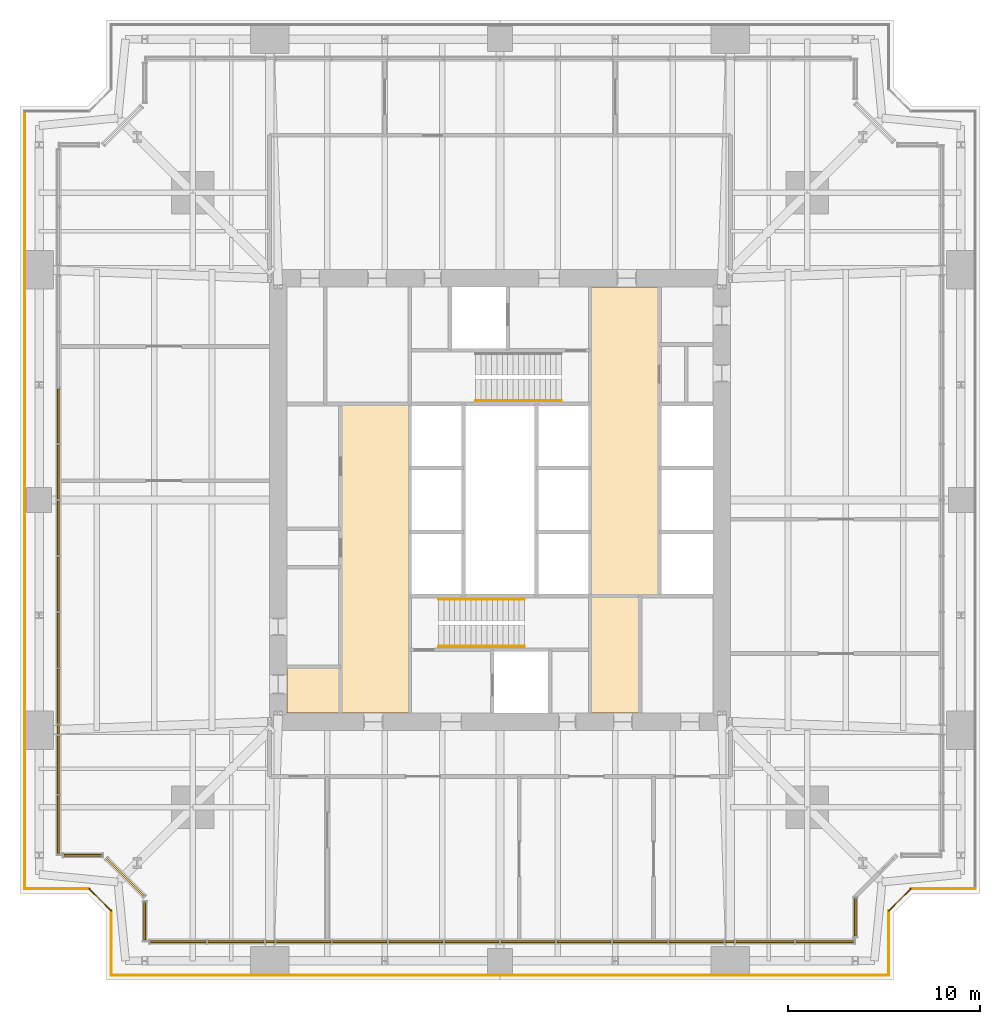
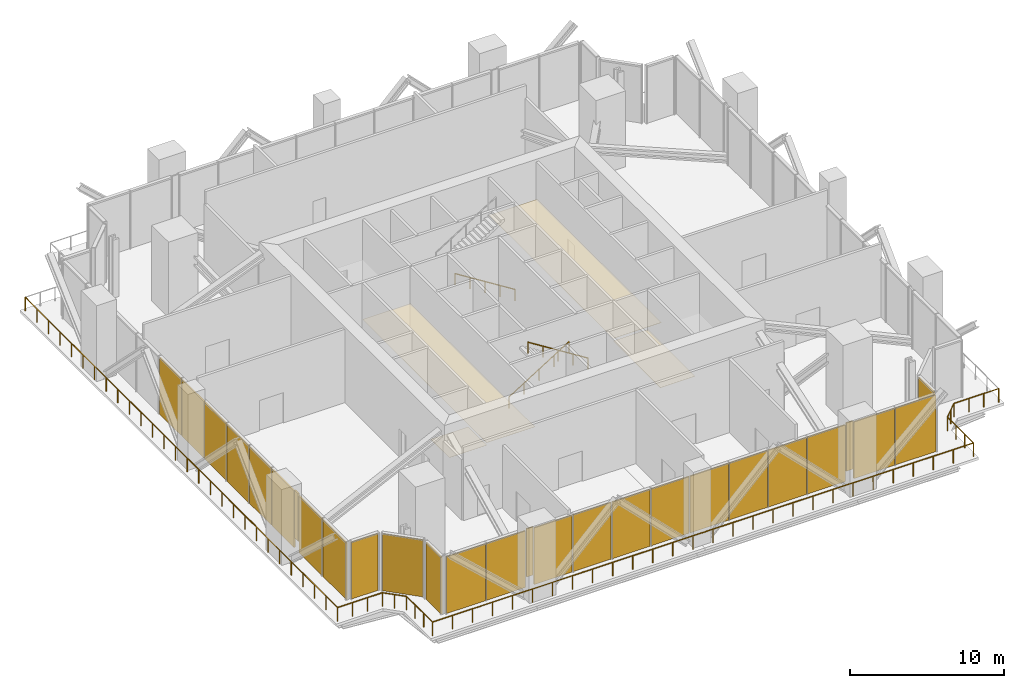
# One storey, part 12 of 14: 27 shading devices, 11 railings, 4 coverings, 9 elements without a shape of their own.
"""IFC4 building model written with IfcOpenShell, lengths in metres."""

from ifc_helpers import new_model, si_unit, direction, frame, origin, origin_2d, place, context, subcontext, project, spatial, polyline, rectangle, circle, outline, extrude, material, layer, layer_set, type_object, element, aggregate, save


model = new_model("IFC4")

# Units and contexts
model_context = context("Model", 3, precision=1e-05, world=origin(), true_north=direction((0.0, 1.0)))
body_context = subcontext(model_context, "Body", "Model", "MODEL_VIEW")
ifc_project = project(units=[si_unit("LENGTHUNIT", "METRE"), si_unit("AREAUNIT", "SQUARE_METRE"), si_unit("VOLUMEUNIT", "CUBIC_METRE"), si_unit("PLANEANGLEUNIT", "RADIAN"), si_unit("MASSUNIT", "GRAM", prefix="KILO")], contexts=[model_context])

# Site, building, storey
site_placement = place(None, origin())
site = spatial("IfcSite", under=ifc_project, at=site_placement, CompositionType="ELEMENT")
building_placement = place(site_placement, origin())
building = spatial("IfcBuilding", under=site, at=building_placement, Name="Fenwick Lantern Interchange", CompositionType="ELEMENT")
storey_placement = place(building_placement, frame((0.0, 0.0, 162.39990234375)))
storey = spatial("IfcBuildingStorey", under=building, at=storey_placement, Name="L38", CompositionType="ELEMENT", Elevation=162.39990234375)

# Railings
ifc_material_1 = material(Name="Stainless steel handrail", Category="steel")
railing_type_1 = type_object("IfcRailingType", Name="HANDRAIL 900", PredefinedType="HANDRAIL", material=ifc_material_1)
railing_1_placement = place(storey_placement, frame((21.800048828125, 19.825927734375, 0.176513671875)))
element("IfcRailing", 1, at=railing_1_placement, inside=storey, type_object=railing_type_1, Name="L38/STAIR/ST1/HR1", PredefinedType="HANDRAIL", context=body_context, shape_type="SweptSolid", body=[
    extrude(circle(Radius=0.02392578125, at=origin_2d()), frame((0.0, 0.0, 0.8759765625), z_axis=(0.845997938375, 0.0, 0.533186166611), x_axis=(0.0, 1.0, 0.0)), (0.0, 0.0, 1.0), 5.29541015625),
    extrude(circle(Radius=0.02099609375, at=origin_2d()), origin(), (0.0, 0.0, 1.0), 0.851806640625),
    extrude(circle(Radius=0.02099609375, at=origin_2d()), frame((1.1201171875, 0.0, 0.705810546875)), (0.0, 0.0, 1.0), 0.851806640625),
    extrude(circle(Radius=0.02099609375, at=origin_2d()), frame((2.239990234375, 0.0, 1.41162109375)), (0.0, 0.0, 1.0), 0.851806640625),
    extrude(circle(Radius=0.02099609375, at=origin_2d()), frame((3.35986328125, 0.0, 2.11767578125)), (0.0, 0.0, 1.0), 0.851806640625),
    extrude(circle(Radius=0.02099609375, at=origin_2d()), frame((4.47998046875, 0.0, 2.823486328125)), (0.0, 0.0, 1.0), 0.851806640625),
])
for number, where, name in (
    (2, (26.280029296875, 17.3740234375, 3.176513671875), "L38/STAIR/ST1/HR2"),
    (3, (28.199951171875, 30.174072265625, 0.176513671875), "L38/STAIR/ST2/HR1"),
):
    element("IfcRailing", number, at=place(storey_placement, frame(where)), inside=storey, type_object=railing_type_1, Name=name, PredefinedType="HANDRAIL", context=body_context, shape_type="SweptSolid", body=[
        extrude(circle(Radius=0.02392578125, at=origin_2d()), frame((0.0, 0.0, 0.8759765625), z_axis=(-0.845997938375, 0.0, 0.533186166611), x_axis=(0.0, -1.0, 0.0)), (0.0, 0.0, 1.0), 5.29541015625),
        extrude(circle(Radius=0.02099609375, at=origin_2d()), origin(), (0.0, 0.0, 1.0), 0.851806640625),
        extrude(circle(Radius=0.02099609375, at=origin_2d()), frame((-1.1201171875, 0.0, 0.705810546875)), (0.0, 0.0, 1.0), 0.851806640625),
        extrude(circle(Radius=0.02099609375, at=origin_2d()), frame((-2.239990234375, 0.0, 1.41162109375)), (0.0, 0.0, 1.0), 0.851806640625),
        extrude(circle(Radius=0.02099609375, at=origin_2d()), frame((-3.35986328125, 0.0, 2.11767578125)), (0.0, 0.0, 1.0), 0.851806640625),
        extrude(circle(Radius=0.02099609375, at=origin_2d()), frame((-4.47998046875, 0.0, 2.823486328125)), (0.0, 0.0, 1.0), 0.851806640625),
    ])
ifc_material_2 = material(Name="Galvanised steel guard", Category="steel")
railing_type_2 = type_object("IfcRailingType", Name="MAINTENANCE LEDGE GUARD 1100", PredefinedType="GUARDRAIL", material=ifc_material_2)
railing_2_placement = place(storey_placement, frame((4.75, 0.25, 0.0)))
element("IfcRailing", 4, at=railing_2_placement, inside=storey, type_object=railing_type_2, Name="L38/GR/LEDGE01", PredefinedType="GUARDRAIL", context=body_context, shape_type="SweptSolid", body=[
    extrude(circle(Radius=0.02392578125, at=origin_2d()), frame((0.0, 0.0, 1.076171875), z_axis=(1.0, 0.0, 0.0), x_axis=(0.0, 1.0, 0.0)), (0.0, 0.0, 1.0), 40.5),
    extrude(circle(Radius=0.02099609375, at=origin_2d()), origin(), (0.0, 0.0, 1.0), 1.052001953125),
    extrude(circle(Radius=0.02099609375, at=origin_2d()), frame((1.5, 0.0, 0.0)), (0.0, 0.0, 1.0), 1.052001953125),
    extrude(circle(Radius=0.02099609375, at=origin_2d()), frame((3.0, 0.0, 0.0)), (0.0, 0.0, 1.0), 1.052001953125),
    extrude(circle(Radius=0.02099609375, at=origin_2d()), frame((4.5, 0.0, 0.0)), (0.0, 0.0, 1.0), 1.052001953125),
    extrude(circle(Radius=0.02099609375, at=origin_2d()), frame((6.0, 0.0, 0.0)), (0.0, 0.0, 1.0), 1.052001953125),
    extrude(circle(Radius=0.02099609375, at=origin_2d()), frame((7.5, 0.0, 0.0)), (0.0, 0.0, 1.0), 1.052001953125),
    extrude(circle(Radius=0.02099609375, at=origin_2d()), frame((9.0, 0.0, 0.0)), (0.0, 0.0, 1.0), 1.052001953125),
    extrude(circle(Radius=0.02099609375, at=origin_2d()), frame((10.5, 0.0, 0.0)), (0.0, 0.0, 1.0), 1.052001953125),
    extrude(circle(Radius=0.02099609375, at=origin_2d()), frame((12.0, 0.0, 0.0)), (0.0, 0.0, 1.0), 1.052001953125),
    extrude(circle(Radius=0.02099609375, at=origin_2d()), frame((13.5, 0.0, 0.0)), (0.0, 0.0, 1.0), 1.052001953125),
    extrude(circle(Radius=0.02099609375, at=origin_2d()), frame((15.0, 0.0, 0.0)), (0.0, 0.0, 1.0), 1.052001953125),
    extrude(circle(Radius=0.02099609375, at=origin_2d()), frame((16.5, 0.0, 0.0)), (0.0, 0.0, 1.0), 1.052001953125),
    extrude(circle(Radius=0.02099609375, at=origin_2d()), frame((18.0, 0.0, 0.0)), (0.0, 0.0, 1.0), 1.052001953125),
    extrude(circle(Radius=0.02099609375, at=origin_2d()), frame((19.5, 0.0, 0.0)), (0.0, 0.0, 1.0), 1.052001953125),
    extrude(circle(Radius=0.02099609375, at=origin_2d()), frame((21.0, 0.0, 0.0)), (0.0, 0.0, 1.0), 1.052001953125),
    extrude(circle(Radius=0.02099609375, at=origin_2d()), frame((22.5, 0.0, 0.0)), (0.0, 0.0, 1.0), 1.052001953125),
    extrude(circle(Radius=0.02099609375, at=origin_2d()), frame((24.0, 0.0, 0.0)), (0.0, 0.0, 1.0), 1.052001953125),
    extrude(circle(Radius=0.02099609375, at=origin_2d()), frame((25.5, 0.0, 0.0)), (0.0, 0.0, 1.0), 1.052001953125),
    extrude(circle(Radius=0.02099609375, at=origin_2d()), frame((27.0, 0.0, 0.0)), (0.0, 0.0, 1.0), 1.052001953125),
    extrude(circle(Radius=0.02099609375, at=origin_2d()), frame((28.5, 0.0, 0.0)), (0.0, 0.0, 1.0), 1.052001953125),
    extrude(circle(Radius=0.02099609375, at=origin_2d()), frame((30.0, 0.0, 0.0)), (0.0, 0.0, 1.0), 1.052001953125),
    extrude(circle(Radius=0.02099609375, at=origin_2d()), frame((31.5, 0.0, 0.0)), (0.0, 0.0, 1.0), 1.052001953125),
    extrude(circle(Radius=0.02099609375, at=origin_2d()), frame((33.0, 0.0, 0.0)), (0.0, 0.0, 1.0), 1.052001953125),
    extrude(circle(Radius=0.02099609375, at=origin_2d()), frame((34.5, 0.0, 0.0)), (0.0, 0.0, 1.0), 1.052001953125),
    extrude(circle(Radius=0.02099609375, at=origin_2d()), frame((36.0, 0.0, 0.0)), (0.0, 0.0, 1.0), 1.052001953125),
    extrude(circle(Radius=0.02099609375, at=origin_2d()), frame((37.5, 0.0, 0.0)), (0.0, 0.0, 1.0), 1.052001953125),
    extrude(circle(Radius=0.02099609375, at=origin_2d()), frame((39.0, 0.0, 0.0)), (0.0, 0.0, 1.0), 1.052001953125),
    extrude(circle(Radius=0.02099609375, at=origin_2d()), frame((40.5, 0.0, 0.0)), (0.0, 0.0, 1.0), 1.052001953125),
])
railing_3_placement = place(storey_placement, frame((45.25, 0.25, 0.0)))
element("IfcRailing", 5, at=railing_3_placement, inside=storey, type_object=railing_type_2, Name="L38/GR/LEDGE02", PredefinedType="GUARDRAIL", context=body_context, shape_type="SweptSolid", body=[
    extrude(circle(Radius=0.02392578125, at=origin_2d()), frame((0.0, 0.0, 1.076171875), z_axis=(0.0, 1.0, 0.0), x_axis=(-1.0, 0.0, 0.0)), (0.0, 0.0, 1.0), 3.353515625),
    extrude(circle(Radius=0.02099609375, at=origin_2d()), origin(), (0.0, 0.0, 1.0), 1.052001953125),
    extrude(circle(Radius=0.02099609375, at=origin_2d()), frame((0.0, 1.117919921875, 0.0)), (0.0, 0.0, 1.0), 1.052001953125),
    extrude(circle(Radius=0.02099609375, at=origin_2d()), frame((0.0, 2.235595703125, 0.0)), (0.0, 0.0, 1.0), 1.052001953125),
    extrude(circle(Radius=0.02099609375, at=origin_2d()), frame((0.0, 3.353515625, 0.0)), (0.0, 0.0, 1.0), 1.052001953125),
])
railing_4_placement = place(storey_placement, frame((45.25, 3.603515625, 0.0)))
element("IfcRailing", 6, at=railing_4_placement, inside=storey, type_object=railing_type_2, Name="L38/GR/LEDGE03", PredefinedType="GUARDRAIL", context=body_context, shape_type="SweptSolid", body=[
    extrude(circle(Radius=0.02392578125, at=origin_2d()), frame((0.0, 0.0, 1.076171875), z_axis=(0.707106781187, 0.707106781187, 0.0), x_axis=(-0.707106781187, 0.707106781187, 0.0)), (0.0, 0.0, 1.0), 1.621337890625),
    extrude(circle(Radius=0.02099609375, at=origin_2d()), origin(), (0.0, 0.0, 1.0), 1.052001953125),
    extrude(circle(Radius=0.02099609375, at=origin_2d()), frame((0.5732421875, 0.5732421875, 0.0)), (0.0, 0.0, 1.0), 1.052001953125),
    extrude(circle(Radius=0.02099609375, at=origin_2d()), frame((1.146484375, 1.146484375, 0.0)), (0.0, 0.0, 1.0), 1.052001953125),
])
railing_5_placement = place(storey_placement, frame((46.396484375, 4.75, 0.0)))
element("IfcRailing", 7, at=railing_5_placement, inside=storey, type_object=railing_type_2, Name="L38/GR/LEDGE04", PredefinedType="GUARDRAIL", context=body_context, shape_type="SweptSolid", body=[
    extrude(circle(Radius=0.02392578125, at=origin_2d()), frame((0.0, 0.0, 1.076171875), z_axis=(1.0, 0.0, 0.0), x_axis=(0.0, 1.0, 0.0)), (0.0, 0.0, 1.0), 3.353515625),
    extrude(circle(Radius=0.02099609375, at=origin_2d()), origin(), (0.0, 0.0, 1.0), 1.052001953125),
    extrude(circle(Radius=0.02099609375, at=origin_2d()), frame((1.117919921875, 0.0, 0.0)), (0.0, 0.0, 1.0), 1.052001953125),
    extrude(circle(Radius=0.02099609375, at=origin_2d()), frame((2.235595703125, 0.0, 0.0)), (0.0, 0.0, 1.0), 1.052001953125),
    extrude(circle(Radius=0.02099609375, at=origin_2d()), frame((3.353515625, 0.0, 0.0)), (0.0, 0.0, 1.0), 1.052001953125),
])
railing_6_placement = place(storey_placement, frame((0.25, 45.25, 0.0)))
element("IfcRailing", 8, at=railing_6_placement, inside=storey, type_object=railing_type_2, Name="L38/GR/LEDGE13", PredefinedType="GUARDRAIL", context=body_context, shape_type="SweptSolid", body=[
    extrude(circle(Radius=0.02392578125, at=origin_2d()), frame((0.0, 0.0, 1.076171875), z_axis=(0.0, -1.0, 0.0), x_axis=(1.0, 0.0, 0.0)), (0.0, 0.0, 1.0), 40.5),
    extrude(circle(Radius=0.02099609375, at=origin_2d()), origin(), (0.0, 0.0, 1.0), 1.052001953125),
    extrude(circle(Radius=0.02099609375, at=origin_2d()), frame((0.0, -1.5, 0.0)), (0.0, 0.0, 1.0), 1.052001953125),
    extrude(circle(Radius=0.02099609375, at=origin_2d()), frame((0.0, -3.0, 0.0)), (0.0, 0.0, 1.0), 1.052001953125),
    extrude(circle(Radius=0.02099609375, at=origin_2d()), frame((0.0, -4.5, 0.0)), (0.0, 0.0, 1.0), 1.052001953125),
    extrude(circle(Radius=0.02099609375, at=origin_2d()), frame((0.0, -6.0, 0.0)), (0.0, 0.0, 1.0), 1.052001953125),
    extrude(circle(Radius=0.02099609375, at=origin_2d()), frame((0.0, -7.5, 0.0)), (0.0, 0.0, 1.0), 1.052001953125),
    extrude(circle(Radius=0.02099609375, at=origin_2d()), frame((0.0, -9.0, 0.0)), (0.0, 0.0, 1.0), 1.052001953125),
    extrude(circle(Radius=0.02099609375, at=origin_2d()), frame((0.0, -10.5, 0.0)), (0.0, 0.0, 1.0), 1.052001953125),
    extrude(circle(Radius=0.02099609375, at=origin_2d()), frame((0.0, -12.0, 0.0)), (0.0, 0.0, 1.0), 1.052001953125),
    extrude(circle(Radius=0.02099609375, at=origin_2d()), frame((0.0, -13.5, 0.0)), (0.0, 0.0, 1.0), 1.052001953125),
    extrude(circle(Radius=0.02099609375, at=origin_2d()), frame((0.0, -15.0, 0.0)), (0.0, 0.0, 1.0), 1.052001953125),
    extrude(circle(Radius=0.02099609375, at=origin_2d()), frame((0.0, -16.5, 0.0)), (0.0, 0.0, 1.0), 1.052001953125),
    extrude(circle(Radius=0.02099609375, at=origin_2d()), frame((0.0, -18.0, 0.0)), (0.0, 0.0, 1.0), 1.052001953125),
    extrude(circle(Radius=0.02099609375, at=origin_2d()), frame((0.0, -19.5, 0.0)), (0.0, 0.0, 1.0), 1.052001953125),
    extrude(circle(Radius=0.02099609375, at=origin_2d()), frame((0.0, -21.0, 0.0)), (0.0, 0.0, 1.0), 1.052001953125),
    extrude(circle(Radius=0.02099609375, at=origin_2d()), frame((0.0, -22.5, 0.0)), (0.0, 0.0, 1.0), 1.052001953125),
    extrude(circle(Radius=0.02099609375, at=origin_2d()), frame((0.0, -24.0, 0.0)), (0.0, 0.0, 1.0), 1.052001953125),
    extrude(circle(Radius=0.02099609375, at=origin_2d()), frame((0.0, -25.5, 0.0)), (0.0, 0.0, 1.0), 1.052001953125),
    extrude(circle(Radius=0.02099609375, at=origin_2d()), frame((0.0, -27.0, 0.0)), (0.0, 0.0, 1.0), 1.052001953125),
    extrude(circle(Radius=0.02099609375, at=origin_2d()), frame((0.0, -28.5, 0.0)), (0.0, 0.0, 1.0), 1.052001953125),
    extrude(circle(Radius=0.02099609375, at=origin_2d()), frame((0.0, -30.0, 0.0)), (0.0, 0.0, 1.0), 1.052001953125),
    extrude(circle(Radius=0.02099609375, at=origin_2d()), frame((0.0, -31.5, 0.0)), (0.0, 0.0, 1.0), 1.052001953125),
    extrude(circle(Radius=0.02099609375, at=origin_2d()), frame((0.0, -33.0, 0.0)), (0.0, 0.0, 1.0), 1.052001953125),
    extrude(circle(Radius=0.02099609375, at=origin_2d()), frame((0.0, -34.5, 0.0)), (0.0, 0.0, 1.0), 1.052001953125),
    extrude(circle(Radius=0.02099609375, at=origin_2d()), frame((0.0, -36.0, 0.0)), (0.0, 0.0, 1.0), 1.052001953125),
    extrude(circle(Radius=0.02099609375, at=origin_2d()), frame((0.0, -37.5, 0.0)), (0.0, 0.0, 1.0), 1.052001953125),
    extrude(circle(Radius=0.02099609375, at=origin_2d()), frame((0.0, -39.0, 0.0)), (0.0, 0.0, 1.0), 1.052001953125),
    extrude(circle(Radius=0.02099609375, at=origin_2d()), frame((0.0, -40.5, 0.0)), (0.0, 0.0, 1.0), 1.052001953125),
])
railing_7_placement = place(storey_placement, frame((0.25, 4.75, 0.0)))
element("IfcRailing", 9, at=railing_7_placement, inside=storey, type_object=railing_type_2, Name="L38/GR/LEDGE14", PredefinedType="GUARDRAIL", context=body_context, shape_type="SweptSolid", body=[
    extrude(circle(Radius=0.02392578125, at=origin_2d()), frame((0.0, 0.0, 1.076171875), z_axis=(1.0, 0.0, 0.0), x_axis=(0.0, 1.0, 0.0)), (0.0, 0.0, 1.0), 3.353515625),
    extrude(circle(Radius=0.02099609375, at=origin_2d()), origin(), (0.0, 0.0, 1.0), 1.052001953125),
    extrude(circle(Radius=0.02099609375, at=origin_2d()), frame((1.117919921875, 0.0, 0.0)), (0.0, 0.0, 1.0), 1.052001953125),
    extrude(circle(Radius=0.02099609375, at=origin_2d()), frame((2.235595703125, 0.0, 0.0)), (0.0, 0.0, 1.0), 1.052001953125),
    extrude(circle(Radius=0.02099609375, at=origin_2d()), frame((3.353515625, 0.0, 0.0)), (0.0, 0.0, 1.0), 1.052001953125),
])
railing_8_placement = place(storey_placement, frame((3.603515625, 4.75, 0.0)))
element("IfcRailing", 10, at=railing_8_placement, inside=storey, type_object=railing_type_2, Name="L38/GR/LEDGE15", PredefinedType="GUARDRAIL", context=body_context, shape_type="SweptSolid", body=[
    extrude(circle(Radius=0.02392578125, at=origin_2d()), frame((0.0, 0.0, 1.076171875), z_axis=(0.707106781187, -0.707106781187, 0.0), x_axis=(0.707106781187, 0.707106781187, 0.0)), (0.0, 0.0, 1.0), 1.621337890625),
    extrude(circle(Radius=0.02099609375, at=origin_2d()), origin(), (0.0, 0.0, 1.0), 1.052001953125),
    extrude(circle(Radius=0.02099609375, at=origin_2d()), frame((0.5732421875, -0.5732421875, 0.0)), (0.0, 0.0, 1.0), 1.052001953125),
    extrude(circle(Radius=0.02099609375, at=origin_2d()), frame((1.146484375, -1.146484375, 0.0)), (0.0, 0.0, 1.0), 1.052001953125),
])
railing_9_placement = place(storey_placement, frame((4.75, 3.603515625, 0.0)))
element("IfcRailing", 11, at=railing_9_placement, inside=storey, type_object=railing_type_2, Name="L38/GR/LEDGE16", PredefinedType="GUARDRAIL", context=body_context, shape_type="SweptSolid", body=[
    extrude(circle(Radius=0.02392578125, at=origin_2d()), frame((0.0, 0.0, 1.076171875), z_axis=(0.0, -1.0, 0.0), x_axis=(1.0, 0.0, 0.0)), (0.0, 0.0, 1.0), 3.353515625),
    extrude(circle(Radius=0.02099609375, at=origin_2d()), origin(), (0.0, 0.0, 1.0), 1.052001953125),
    extrude(circle(Radius=0.02099609375, at=origin_2d()), frame((0.0, -1.117919921875, 0.0)), (0.0, 0.0, 1.0), 1.052001953125),
    extrude(circle(Radius=0.02099609375, at=origin_2d()), frame((0.0, -2.235595703125, 0.0)), (0.0, 0.0, 1.0), 1.052001953125),
    extrude(circle(Radius=0.02099609375, at=origin_2d()), frame((0.0, -3.353515625, 0.0)), (0.0, 0.0, 1.0), 1.052001953125),
])

# Coverings
ifc_material_3 = material(Name="Moisture resistant gypsum board on suspended frame, painted")
ifc_layer_1 = layer(ifc_material_3, 0.014892578125)
ifc_layer_set_1 = layer_set([ifc_layer_1], Name="MOISTURE RESISTANT CEILING 15")
covering_type_1 = type_object("IfcCoveringType", Name="MOISTURE RESISTANT CEILING 15", PredefinedType="CEILING", material=ifc_layer_set_1)
covering_1_placement = place(storey_placement, frame((0.0, 0.0, 2.60009765625)))
element("IfcCovering", 12, at=covering_1_placement, inside=storey, type_object=covering_type_1, Name="Men's WC ceiling", PredefinedType="CEILING", context=body_context, shape_type="SweptSolid", body=[
    extrude(outline(polyline([(29.699951171875, 13.89990234375), (32.300048828125, 13.89990234375), (32.300048828125, 20.0), (29.699951171875, 20.0), (29.699951171875, 13.89990234375)])), origin(), (0.0, 0.0, 1.0), 0.014892578125),
])
covering_2_placement = place(storey_placement, frame((0.0, 0.0, 2.60009765625)))
element("IfcCovering", 13, at=covering_2_placement, inside=storey, type_object=covering_type_1, Name="Accessible WC ceiling", PredefinedType="CEILING", context=body_context, shape_type="SweptSolid", body=[
    extrude(outline(polyline([(13.89990234375, 13.89990234375), (16.699951171875, 13.89990234375), (16.699951171875, 16.300048828125), (13.89990234375, 16.300048828125), (13.89990234375, 13.89990234375)])), origin(), (0.0, 0.0, 1.0), 0.014892578125),
])

# Curtain wall, shading device
ifc_material_4 = material(Name="Aluminium curtain wall frame", Category="aluminium")
curtain_wall_type = type_object("IfcCurtainWallType", Name="PLANT LOUVRE SCREEN", PredefinedType="USERDEFINED", material=ifc_material_4)
curtain_wall_1_placement = place(storey_placement, origin())
curtain_wall_1 = element("IfcCurtainWall", 14, at=curtain_wall_1_placement, inside=storey, type_object=curtain_wall_type, Name="Plant louvre screen 01", ObjectType="PLANT LOUVRE SCREEN", PredefinedType="USERDEFINED")
ifc_material_5 = material(Name="Louvre panel, anodised aluminium blades", Category="aluminium")
ifc_layer_2 = layer(ifc_material_5, 0.10009765625)
ifc_layer_set_2 = layer_set([ifc_layer_2], Name="PLANT LOUVRE SCREEN PANEL 100")
shading_device_type = type_object("IfcShadingDeviceType", Name="PLANT LOUVRE SCREEN PANEL 100", PredefinedType="SHUTTER", material=ifc_layer_set_2)
shading_device_1_placement = place(storey_placement, frame((43.5, 3.26416015625, 0.0), z_axis=(0.0, 0.0, 1.0), x_axis=(0.0, 1.0, 0.0)))
shading_device_1 = element("IfcShadingDevice", 15, at=shading_device_1_placement, type_object=shading_device_type, Name="L38/CW/01/P00", PredefinedType="SHUTTER", context=body_context, shape_type="SweptSolid", body=[
    extrude(rectangle(XDim=1.978515625, YDim=0.10009765625, at=origin_2d()), origin(), (0.0, 0.0, 1.0), 4.47998046875),
])
aggregate(curtain_wall_1, [shading_device_1])

# Curtain wall, shading devices
curtain_wall_2_placement = place(storey_placement, origin())
curtain_wall_2 = element("IfcCurtainWall", 16, at=curtain_wall_2_placement, inside=storey, type_object=curtain_wall_type, Name="Plant louvre screen 12B", ObjectType="PLANT LOUVRE SCREEN", PredefinedType="USERDEFINED")
shading_device_2_placement = place(storey_placement, frame((2.0, 29.381103515625, 0.0), z_axis=(0.0, 0.0, 1.0), x_axis=(0.0, -1.0, 0.0)))
shading_device_2 = element("IfcShadingDevice", 17, at=shading_device_2_placement, type_object=shading_device_type, Name="L38/CW/12B/P02", PredefinedType="SHUTTER", context=body_context, shape_type="SweptSolid", body=[
    extrude(rectangle(XDim=2.845703125, YDim=0.10009765625, at=origin_2d()), origin(), (0.0, 0.0, 1.0), 4.47998046875),
])
shading_device_3_placement = place(storey_placement, frame((2.0, 26.46044921875, 0.0), z_axis=(0.0, 0.0, 1.0), x_axis=(0.0, -1.0, 0.0)))
shading_device_3 = element("IfcShadingDevice", 18, at=shading_device_3_placement, type_object=shading_device_type, Name="L38/CW/12B/P03", PredefinedType="SHUTTER", context=body_context, shape_type="SweptSolid", body=[
    extrude(rectangle(XDim=2.845703125, YDim=0.10009765625, at=origin_2d()), origin(), (0.0, 0.0, 1.0), 4.47998046875),
])
shading_device_4_placement = place(storey_placement, frame((2.0, 23.53955078125, 0.0), z_axis=(0.0, 0.0, 1.0), x_axis=(0.0, -1.0, 0.0)))
shading_device_4 = element("IfcShadingDevice", 19, at=shading_device_4_placement, type_object=shading_device_type, Name="L38/CW/12B/P04", PredefinedType="SHUTTER", context=body_context, shape_type="SweptSolid", body=[
    extrude(rectangle(XDim=2.845703125, YDim=0.10009765625, at=origin_2d()), origin(), (0.0, 0.0, 1.0), 4.47998046875),
])
shading_device_5_placement = place(storey_placement, frame((2.0, 20.618896484375, 0.0), z_axis=(0.0, 0.0, 1.0), x_axis=(0.0, -1.0, 0.0)))
shading_device_5 = element("IfcShadingDevice", 20, at=shading_device_5_placement, type_object=shading_device_type, Name="L38/CW/12B/P05", PredefinedType="SHUTTER", context=body_context, shape_type="SweptSolid", body=[
    extrude(rectangle(XDim=2.845703125, YDim=0.10009765625, at=origin_2d()), origin(), (0.0, 0.0, 1.0), 4.47998046875),
])
shading_device_6_placement = place(storey_placement, frame((2.0, 17.6982421875, 0.0), z_axis=(0.0, 0.0, 1.0), x_axis=(0.0, -1.0, 0.0)))
shading_device_6 = element("IfcShadingDevice", 21, at=shading_device_6_placement, type_object=shading_device_type, Name="L38/CW/12B/P06", PredefinedType="SHUTTER", context=body_context, shape_type="SweptSolid", body=[
    extrude(rectangle(XDim=2.845703125, YDim=0.10009765625, at=origin_2d()), origin(), (0.0, 0.0, 1.0), 4.47998046875),
])
shading_device_7_placement = place(storey_placement, frame((2.0, 14.777587890625, 0.0), z_axis=(0.0, 0.0, 1.0), x_axis=(0.0, -1.0, 0.0)))
shading_device_7 = element("IfcShadingDevice", 22, at=shading_device_7_placement, type_object=shading_device_type, Name="L38/CW/12B/P07", PredefinedType="SHUTTER", context=body_context, shape_type="SweptSolid", body=[
    extrude(rectangle(XDim=2.845703125, YDim=0.10009765625, at=origin_2d()), origin(), (0.0, 0.0, 1.0), 4.47998046875),
])
aggregate(curtain_wall_2, [shading_device_2, shading_device_3, shading_device_4, shading_device_5, shading_device_6, shading_device_7])

curtain_wall_3_placement = place(storey_placement, origin())
curtain_wall_3 = element("IfcCurtainWall", 23, at=curtain_wall_3_placement, inside=storey, type_object=curtain_wall_type, Name="Plant louvre screen 12C", ObjectType="PLANT LOUVRE SCREEN", PredefinedType="USERDEFINED")
shading_device_8_placement = place(storey_placement, frame((2.0, 11.20263671875, 0.0), z_axis=(0.0, 0.0, 1.0), x_axis=(0.0, -1.0, 0.0)))
shading_device_8 = element("IfcShadingDevice", 24, at=shading_device_8_placement, type_object=shading_device_type, Name="L38/CW/12C/P00", PredefinedType="SHUTTER", context=body_context, shape_type="SweptSolid", body=[
    extrude(rectangle(XDim=3.03515625, YDim=0.10009765625, at=origin_2d()), origin(), (0.0, 0.0, 1.0), 4.47998046875),
])
shading_device_9_placement = place(storey_placement, frame((2.0, 8.092529296875, 0.0), z_axis=(0.0, 0.0, 1.0), x_axis=(0.0, -1.0, 0.0)))
shading_device_9 = element("IfcShadingDevice", 25, at=shading_device_9_placement, type_object=shading_device_type, Name="L38/CW/12C/P01", PredefinedType="SHUTTER", context=body_context, shape_type="SweptSolid", body=[
    extrude(rectangle(XDim=3.03515625, YDim=0.10009765625, at=origin_2d()), origin(), (0.0, 0.0, 1.0), 4.47998046875),
])
aggregate(curtain_wall_3, [shading_device_8, shading_device_9])

# Shading device
shading_device_10_placement = place(storey_placement, frame((2.0, 13.03759765625, 0.8193359375), z_axis=(0.0, 0.0, 1.0), x_axis=(0.0, -1.0, 0.0)))
element("IfcShadingDevice", 26, at=shading_device_10_placement, inside=storey, type_object=shading_device_type, Name="Louvre screen infill 12-2", PredefinedType="SHUTTER", context=body_context, shape_type="SweptSolid", body=[
    extrude(rectangle(XDim=0.484375, YDim=0.10009765625, at=origin_2d()), origin(), (0.0, 0.0, 1.0), 3.78076171875),
])

# Curtain wall, shading device
curtain_wall_4_placement = place(storey_placement, origin())
curtain_wall_4 = element("IfcCurtainWall", 27, at=curtain_wall_4_placement, inside=storey, type_object=curtain_wall_type, Name="Plant louvre screen 13", ObjectType="PLANT LOUVRE SCREEN", PredefinedType="USERDEFINED")
shading_device_11_placement = place(storey_placement, frame((3.26416015625, 6.5, 0.0), z_axis=(0.0, 0.0, 1.0), x_axis=(1.0, 0.0, 0.0)))
shading_device_11 = element("IfcShadingDevice", 28, at=shading_device_11_placement, type_object=shading_device_type, Name="L38/CW/13/P00", PredefinedType="SHUTTER", context=body_context, shape_type="SweptSolid", body=[
    extrude(rectangle(XDim=1.978515625, YDim=0.10009765625, at=origin_2d()), origin(), (0.0, 0.0, 1.0), 4.47998046875),
])
aggregate(curtain_wall_4, [shading_device_11])

curtain_wall_5_placement = place(storey_placement, origin())
curtain_wall_5 = element("IfcCurtainWall", 29, at=curtain_wall_5_placement, inside=storey, type_object=curtain_wall_type, Name="Plant louvre screen 14", ObjectType="PLANT LOUVRE SCREEN", PredefinedType="USERDEFINED")
shading_device_12_placement = place(storey_placement, frame((5.48486328125, 5.343505859375, 0.0), z_axis=(0.0, 0.0, 1.0), x_axis=(0.707106781187, -0.707106781187, 0.0)))
shading_device_12 = element("IfcShadingDevice", 30, at=shading_device_12_placement, type_object=shading_device_type, Name="L38/CW/14/P00", PredefinedType="SHUTTER", context=body_context, shape_type="SweptSolid", body=[
    extrude(rectangle(XDim=2.720947265625, YDim=0.10009765625, at=origin_2d()), origin(), (0.0, 0.0, 1.0), 4.47998046875),
])
aggregate(curtain_wall_5, [shading_device_12])

curtain_wall_6_placement = place(storey_placement, origin())
curtain_wall_6 = element("IfcCurtainWall", 31, at=curtain_wall_6_placement, inside=storey, type_object=curtain_wall_type, Name="Plant louvre screen 15", ObjectType="PLANT LOUVRE SCREEN", PredefinedType="USERDEFINED")
shading_device_13_placement = place(storey_placement, frame((6.5, 3.064208984375, 0.0), z_axis=(0.0, 0.0, 1.0), x_axis=(0.0, -1.0, 0.0)))
shading_device_13 = element("IfcShadingDevice", 32, at=shading_device_13_placement, type_object=shading_device_type, Name="L38/CW/15/P00", PredefinedType="SHUTTER", context=body_context, shape_type="SweptSolid", body=[
    extrude(rectangle(XDim=1.978515625, YDim=0.10009765625, at=origin_2d()), origin(), (0.0, 0.0, 1.0), 4.47998046875),
])
aggregate(curtain_wall_6, [shading_device_13])

# Curtain wall, shading devices
curtain_wall_7_placement = place(storey_placement, origin())
curtain_wall_7 = element("IfcCurtainWall", 33, at=curtain_wall_7_placement, inside=storey, type_object=curtain_wall_type, Name="Plant louvre screen 16A", ObjectType="PLANT LOUVRE SCREEN", PredefinedType="USERDEFINED")
shading_device_14_placement = place(storey_placement, frame((8.241943359375, 2.0, 0.0), z_axis=(0.0, 0.0, 1.0), x_axis=(1.0, 0.0, 0.0)))
shading_device_14 = element("IfcShadingDevice", 34, at=shading_device_14_placement, type_object=shading_device_type, Name="L38/CW/16A/P00", PredefinedType="SHUTTER", context=body_context, shape_type="SweptSolid", body=[
    extrude(rectangle(XDim=2.93408203125, YDim=0.10009765625, at=origin_2d()), origin(), (0.0, 0.0, 1.0), 4.47998046875),
])
shading_device_15_placement = place(storey_placement, frame((11.2509765625, 2.0, 0.0), z_axis=(0.0, 0.0, 1.0), x_axis=(1.0, 0.0, 0.0)))
shading_device_15 = element("IfcShadingDevice", 35, at=shading_device_15_placement, type_object=shading_device_type, Name="L38/CW/16A/P01", PredefinedType="SHUTTER", context=body_context, shape_type="SweptSolid", body=[
    extrude(rectangle(XDim=2.93408203125, YDim=0.10009765625, at=origin_2d()), origin(), (0.0, 0.0, 1.0), 4.47998046875),
])
aggregate(curtain_wall_7, [shading_device_14, shading_device_15])

curtain_wall_8_placement = place(storey_placement, origin())
curtain_wall_8 = element("IfcCurtainWall", 36, at=curtain_wall_8_placement, inside=storey, type_object=curtain_wall_type, Name="Plant louvre screen 16B", ObjectType="PLANT LOUVRE SCREEN", PredefinedType="USERDEFINED")
shading_device_16_placement = place(storey_placement, frame((14.77490234375, 2.0, 0.0), z_axis=(0.0, 0.0, 1.0), x_axis=(1.0, 0.0, 0.0)))
shading_device_16 = element("IfcShadingDevice", 37, at=shading_device_16_placement, type_object=shading_device_type, Name="L38/CW/16B/P00", PredefinedType="SHUTTER", context=body_context, shape_type="SweptSolid", body=[
    extrude(rectangle(XDim=2.846435546875, YDim=0.10009765625, at=origin_2d()), origin(), (0.0, 0.0, 1.0), 4.47998046875),
])
shading_device_17_placement = place(storey_placement, frame((17.6962890625, 2.0, 0.0), z_axis=(0.0, 0.0, 1.0), x_axis=(1.0, 0.0, 0.0)))
shading_device_17 = element("IfcShadingDevice", 38, at=shading_device_17_placement, type_object=shading_device_type, Name="L38/CW/16B/P01", PredefinedType="SHUTTER", context=body_context, shape_type="SweptSolid", body=[
    extrude(rectangle(XDim=2.846435546875, YDim=0.10009765625, at=origin_2d()), origin(), (0.0, 0.0, 1.0), 4.47998046875),
])
shading_device_18_placement = place(storey_placement, frame((20.617919921875, 2.0, 0.0), z_axis=(0.0, 0.0, 1.0), x_axis=(1.0, 0.0, 0.0)))
shading_device_18 = element("IfcShadingDevice", 39, at=shading_device_18_placement, type_object=shading_device_type, Name="L38/CW/16B/P02", PredefinedType="SHUTTER", context=body_context, shape_type="SweptSolid", body=[
    extrude(rectangle(XDim=2.846435546875, YDim=0.10009765625, at=origin_2d()), origin(), (0.0, 0.0, 1.0), 4.47998046875),
])
shading_device_19_placement = place(storey_placement, frame((23.539306640625, 2.0, 0.0), z_axis=(0.0, 0.0, 1.0), x_axis=(1.0, 0.0, 0.0)))
shading_device_19 = element("IfcShadingDevice", 40, at=shading_device_19_placement, type_object=shading_device_type, Name="L38/CW/16B/P03", PredefinedType="SHUTTER", context=body_context, shape_type="SweptSolid", body=[
    extrude(rectangle(XDim=2.846435546875, YDim=0.10009765625, at=origin_2d()), origin(), (0.0, 0.0, 1.0), 4.47998046875),
])
shading_device_20_placement = place(storey_placement, frame((26.460693359375, 2.0, 0.0), z_axis=(0.0, 0.0, 1.0), x_axis=(1.0, 0.0, 0.0)))
shading_device_20 = element("IfcShadingDevice", 41, at=shading_device_20_placement, type_object=shading_device_type, Name="L38/CW/16B/P04", PredefinedType="SHUTTER", context=body_context, shape_type="SweptSolid", body=[
    extrude(rectangle(XDim=2.846435546875, YDim=0.10009765625, at=origin_2d()), origin(), (0.0, 0.0, 1.0), 4.47998046875),
])
shading_device_21_placement = place(storey_placement, frame((29.382080078125, 2.0, 0.0), z_axis=(0.0, 0.0, 1.0), x_axis=(1.0, 0.0, 0.0)))
shading_device_21 = element("IfcShadingDevice", 42, at=shading_device_21_placement, type_object=shading_device_type, Name="L38/CW/16B/P05", PredefinedType="SHUTTER", context=body_context, shape_type="SweptSolid", body=[
    extrude(rectangle(XDim=2.846435546875, YDim=0.10009765625, at=origin_2d()), origin(), (0.0, 0.0, 1.0), 4.47998046875),
])
shading_device_22_placement = place(storey_placement, frame((32.3037109375, 2.0, 0.0), z_axis=(0.0, 0.0, 1.0), x_axis=(1.0, 0.0, 0.0)))
shading_device_22 = element("IfcShadingDevice", 43, at=shading_device_22_placement, type_object=shading_device_type, Name="L38/CW/16B/P06", PredefinedType="SHUTTER", context=body_context, shape_type="SweptSolid", body=[
    extrude(rectangle(XDim=2.846435546875, YDim=0.10009765625, at=origin_2d()), origin(), (0.0, 0.0, 1.0), 4.47998046875),
])
shading_device_23_placement = place(storey_placement, frame((35.22509765625, 2.0, 0.0), z_axis=(0.0, 0.0, 1.0), x_axis=(1.0, 0.0, 0.0)))
shading_device_23 = element("IfcShadingDevice", 44, at=shading_device_23_placement, type_object=shading_device_type, Name="L38/CW/16B/P07", PredefinedType="SHUTTER", context=body_context, shape_type="SweptSolid", body=[
    extrude(rectangle(XDim=2.846435546875, YDim=0.10009765625, at=origin_2d()), origin(), (0.0, 0.0, 1.0), 4.47998046875),
])
aggregate(curtain_wall_8, [shading_device_16, shading_device_17, shading_device_18, shading_device_19, shading_device_20, shading_device_21, shading_device_22, shading_device_23])

curtain_wall_9_placement = place(storey_placement, origin())
curtain_wall_9 = element("IfcCurtainWall", 45, at=curtain_wall_9_placement, inside=storey, type_object=curtain_wall_type, Name="Plant louvre screen 16C", ObjectType="PLANT LOUVRE SCREEN", PredefinedType="USERDEFINED")
shading_device_24_placement = place(storey_placement, frame((38.799072265625, 2.0, 0.0), z_axis=(0.0, 0.0, 1.0), x_axis=(1.0, 0.0, 0.0)))
shading_device_24 = element("IfcShadingDevice", 46, at=shading_device_24_placement, type_object=shading_device_type, Name="L38/CW/16C/P00", PredefinedType="SHUTTER", context=body_context, shape_type="SweptSolid", body=[
    extrude(rectangle(XDim=3.033935546875, YDim=0.10009765625, at=origin_2d()), origin(), (0.0, 0.0, 1.0), 4.47998046875),
])
shading_device_25_placement = place(storey_placement, frame((41.907958984375, 2.0, 0.0), z_axis=(0.0, 0.0, 1.0), x_axis=(1.0, 0.0, 0.0)))
shading_device_25 = element("IfcShadingDevice", 47, at=shading_device_25_placement, type_object=shading_device_type, Name="L38/CW/16C/P01", PredefinedType="SHUTTER", context=body_context, shape_type="SweptSolid", body=[
    extrude(rectangle(XDim=3.033935546875, YDim=0.10009765625, at=origin_2d()), origin(), (0.0, 0.0, 1.0), 4.47998046875),
])
aggregate(curtain_wall_9, [shading_device_24, shading_device_25])

# Shading devices
for number, where, z_axis, x_axis, name in (
    (48, (13.034912109375, 2.0, 0.783203125), (0.0, 0.0, 1.0), (1.0, 0.0, 0.0), "Louvre screen infill 16-1"),
    (49, (36.965087890625, 2.0, 0.783203125), (0.0, 0.0, 1.0), (1.0, 0.0, 0.0), "Louvre screen infill 16-2"),
):
    element("IfcShadingDevice", number, at=place(storey_placement, frame(where, z_axis=z_axis, x_axis=x_axis)), inside=storey, type_object=shading_device_type, Name=name, PredefinedType="SHUTTER", context=body_context, shape_type="SweptSolid", body=[
        extrude(rectangle(XDim=0.483642578125, YDim=0.10009765625, at=origin_2d()), origin(), (0.0, 0.0, 1.0), 3.816650390625),
    ])

# Coverings
ifc_material_6 = material(Name="Gypsum plasterboard on suspended frame, painted")
ifc_layer_3 = layer(ifc_material_6, 0.014892578125)
ifc_layer_set_3 = layer_set([ifc_layer_3], Name="PLASTERBOARD CEILING 15")
covering_type_2 = type_object("IfcCoveringType", Name="PLASTERBOARD CEILING 15", PredefinedType="CEILING", material=ifc_layer_set_3)
covering_3_placement = place(storey_placement, frame((0.0, 0.0, 2.800048828125)))
element("IfcCovering", 50, at=covering_3_placement, inside=storey, type_object=covering_type_2, Name="Lift lobby ceiling", PredefinedType="CEILING", context=body_context, shape_type="SweptSolid", body=[
    extrude(outline(polyline([(16.699951171875, 13.89990234375), (20.300048828125, 13.89990234375), (20.300048828125, 30.0), (16.699951171875, 30.0), (16.699951171875, 13.89990234375)])), origin(), (0.0, 0.0, 1.0), 0.01513671875),
])
covering_4_placement = place(storey_placement, frame((0.0, 0.0, 2.800048828125)))
element("IfcCovering", 51, at=covering_4_placement, inside=storey, type_object=covering_type_2, Name="Lift lobby ceiling", PredefinedType="CEILING", context=body_context, shape_type="SweptSolid", body=[
    extrude(outline(polyline([(33.300048828125, 36.10009765625), (29.699951171875, 36.10009765625), (29.699951171875, 20.0), (33.300048828125, 20.0), (33.300048828125, 36.10009765625)])), origin(), (0.0, 0.0, 1.0), 0.01513671875),
])

save(model, "model.ifc")
